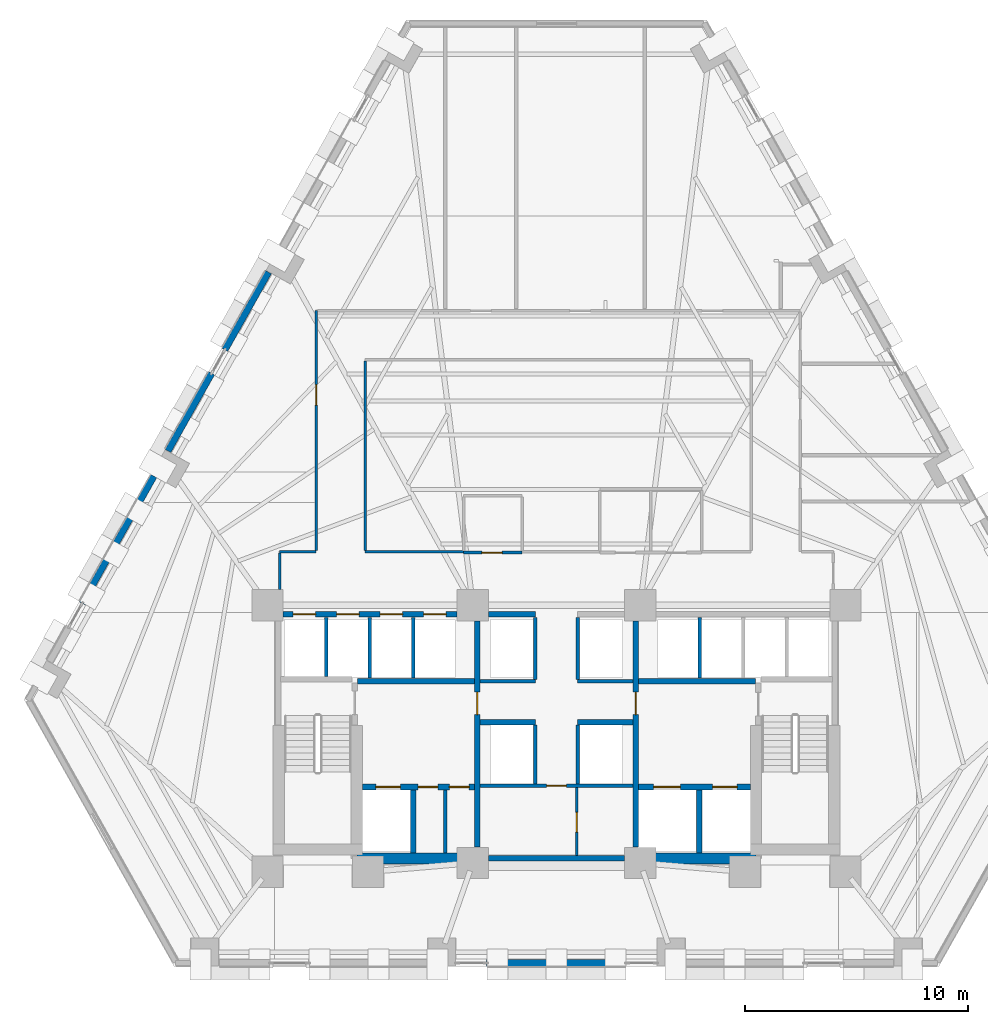
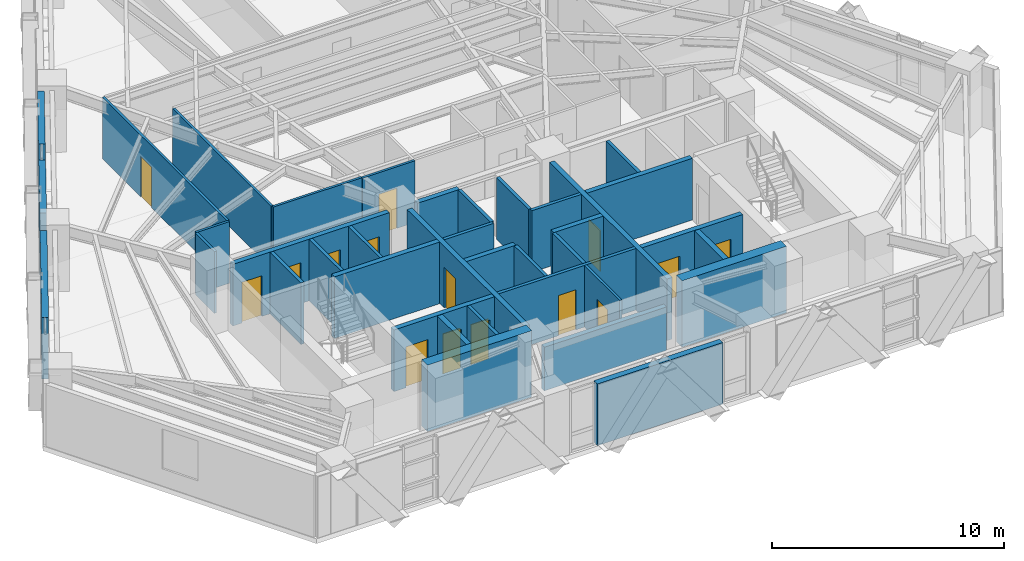
# One storey, part 7 of 13: 38 walls, 15 doors, 15 openings.
"""IFC4 building model written with IfcOpenShell, lengths in metres."""

from ifc_helpers import new_model, si_unit, direction, frame, frame_2d, origin, place, context, subcontext, project, spatial, rectangle, extrude, material, layer, layer_set, type_object, element, fill, save


model = new_model("IFC4")

# Units and contexts
model_context = context("Model", 3, precision=1e-05, world=origin(), true_north=direction((0.0, 1.0)))
body_context = subcontext(model_context, "Body", "Model", "MODEL_VIEW")
ifc_project = project(units=[si_unit("LENGTHUNIT", "METRE"), si_unit("AREAUNIT", "SQUARE_METRE"), si_unit("VOLUMEUNIT", "CUBIC_METRE"), si_unit("PLANEANGLEUNIT", "RADIAN"), si_unit("MASSUNIT", "GRAM", prefix="KILO")], contexts=[model_context])

# Site, building, storey
site_placement = place(None, origin())
site = spatial("IfcSite", under=ifc_project, at=site_placement, CompositionType="ELEMENT")
building_placement = place(site_placement, origin())
building = spatial("IfcBuilding", under=site, at=building_placement, Name="Quenlor Broadcast Tower", CompositionType="ELEMENT")
storey_placement = place(building_placement, frame((0.0, 0.0, 34.60009765625)))
storey = spatial("IfcBuildingStorey", under=building, at=storey_placement, Name="L08", CompositionType="ELEMENT", Elevation=34.60009765625)

# Walls
ifc_material_1 = material(Name="Concrete C65/80", Category="concrete")
ifc_layer_1 = layer(ifc_material_1, 0.5)
ifc_layer_set_1 = layer_set([ifc_layer_1], Name="Core Concrete C65/80 Shear Wall 500")
wall_type_1 = type_object("IfcWallType", Name="Core Concrete C65/80 Shear Wall 500", PredefinedType="SHEAR", material=ifc_layer_set_1)
for number, where, z_axis, x_axis, name in (
    (1, (-8.949951171875, -16.14990234375, 0.0), (0.0, 0.0, 1.0), (1.0, 0.0, 0.0), "L08 Core Shear Wall WS-W2"),
    (2, (3.75, -16.14990234375, 0.0), (0.0, 0.0, 1.0), (1.0, 0.0, 0.0), "L08 Core Shear Wall WS-E1"),
):
    element("IfcWall", number, at=place(storey_placement, frame(where, z_axis=z_axis, x_axis=x_axis)), inside=storey, type_object=wall_type_1, Name=name, PredefinedType="SHEAR", context=body_context, shape_type="SweptSolid", body=[
        extrude(rectangle(XDim=5.199951171875, YDim=0.5, at=frame_2d((2.60009765625, 0.0))), origin(), (0.0, 0.0, 1.0), 3.5),
    ])

# Wall, openings, doors
ifc_material_2 = material(Name="Concrete C40/50", Category="concrete")
ifc_layer_2 = layer(ifc_material_2, 0.25)
ifc_layer_set_2 = layer_set([ifc_layer_2], Name="Fire Rated Concrete C40/50 Core Wall 250")
wall_type_2 = type_object("IfcWallType", Name="Fire Rated Concrete C40/50 Core Wall 250", PredefinedType="PARTITIONING", material=ifc_layer_set_2)
wall_1_placement = place(storey_placement, frame((-8.697998046875, -12.949951171875, 0.0), z_axis=(0.0, 0.0, 1.0), x_axis=(1.0, 0.0, 0.0)))
wall_1 = element("IfcWall", 3, at=wall_1_placement, inside=storey, type_object=wall_type_2, Name="L08 Interior Wall CW-FFW-S", PredefinedType="PARTITIONING", context=body_context, shape_type="SweptSolid", body=[
    extrude(rectangle(XDim=5.01806640625, YDim=0.25, at=frame_2d((2.509033203125, 0.0))), origin(), (0.0, 0.0, 1.0), 3.25),
])
opening_1_placement = place(wall_1_placement, frame((0.597900390625, 0.0, 0.0)))
opening_1 = element("IfcOpeningElement", 4, at=opening_1_placement, cuts=wall_1, Name="Opening LD-FFL-1", PredefinedType="OPENING", context=body_context, shape_type="SweptSolid", body=[
    extrude(rectangle(XDim=1.10009765625, YDim=2.14990234375, at=frame_2d((0.550048828125, 1.074951171875))), frame((0.0, 0.135009765625, 0.0), z_axis=(0.0, -1.0, 0.0), x_axis=(1.0, 0.0, 0.0)), (0.0, 0.0, 1.0), 0.27001953125),
])
opening_2_placement = place(wall_1_placement, frame((2.498046875, 0.0, 0.0)))
opening_2 = element("IfcOpeningElement", 5, at=opening_2_placement, cuts=wall_1, Name="Opening TD-1", PredefinedType="OPENING", context=body_context, shape_type="SweptSolid", body=[
    extrude(rectangle(XDim=0.8798828125, YDim=2.10009765625, at=frame_2d((0.43994140625, 1.050048828125))), frame((0.0, 0.135009765625, 0.0), z_axis=(0.0, -1.0, 0.0), x_axis=(1.0, 0.0, 0.0)), (0.0, 0.0, 1.0), 0.27001953125),
])
opening_3_placement = place(wall_1_placement, frame((3.89794921875, 0.0, 0.0)))
opening_3 = element("IfcOpeningElement", 6, at=opening_3_placement, cuts=wall_1, Name="Opening TD-1", PredefinedType="OPENING", context=body_context, shape_type="SweptSolid", body=[
    extrude(rectangle(XDim=0.8798828125, YDim=2.10009765625, at=frame_2d((0.43994140625, 1.050048828125))), frame((0.0, 0.135009765625, 0.0), z_axis=(0.0, -1.0, 0.0), x_axis=(1.0, 0.0, 0.0)), (0.0, 0.0, 1.0), 0.27001953125),
])
ifc_material_3 = material(Name="Brushed Stainless Steel", Category="steel")
door_type_1 = type_object("IfcDoorType", Name="Emergency Lift Sliding Landing Door 1100x2150", OperationType="NOTDEFINED", PredefinedType="DOOR", material=ifc_material_3)
door_1_placement = place(opening_1_placement, origin())
door_1 = element("IfcDoor", 7, at=door_1_placement, inside=storey, type_object=door_type_1, Name="L08 Door LD-FFL-1", OperationType="SLIDING_TO_LEFT", OverallHeight=2.14990234375, OverallWidth=1.10009765625, PredefinedType="DOOR", context=body_context, shape_type="SweptSolid", body=[
    extrude(rectangle(XDim=1.10009765625, YDim=2.14990234375, at=frame_2d((0.550048828125, 1.074951171875))), frame((0.0, 0.02490234375, 0.0), z_axis=(0.0, -1.0, 0.0), x_axis=(1.0, 0.0, 0.0)), (0.0, 0.0, 1.0), 0.050048828125),
])
fill(opening_1, door_1)
ifc_material_4 = material(Name="Fire Rated Steel Access Panel", Category="steel")
door_type_2 = type_object("IfcDoorType", Name="Riser Shaft Rated Access Trapdoor 880x2100", OperationType="NOTDEFINED", PredefinedType="TRAPDOOR", material=ifc_material_4)
door_2_placement = place(opening_2_placement, origin())
door_2 = element("IfcDoor", 8, at=door_2_placement, inside=storey, type_object=door_type_2, Name="L08 Door DR-ELR", OperationType="SINGLE_SWING_LEFT", OverallHeight=2.10009765625, OverallWidth=0.8798828125, PredefinedType="TRAPDOOR", context=body_context, shape_type="SweptSolid", body=[
    extrude(rectangle(XDim=0.8798828125, YDim=2.10009765625, at=frame_2d((0.43994140625, 1.050048828125))), frame((0.0, 0.02490234375, 0.0), z_axis=(0.0, -1.0, 0.0), x_axis=(1.0, 0.0, 0.0)), (0.0, 0.0, 1.0), 0.050048828125),
])
fill(opening_2, door_2)
door_3_placement = place(opening_3_placement, origin())
door_3 = element("IfcDoor", 9, at=door_3_placement, inside=storey, type_object=door_type_2, Name="L08 Door DR-CMR", OperationType="SINGLE_SWING_RIGHT", OverallHeight=2.10009765625, OverallWidth=0.8798828125, PredefinedType="TRAPDOOR", context=body_context, shape_type="SweptSolid", body=[
    extrude(rectangle(XDim=0.8798828125, YDim=2.10009765625, at=frame_2d((0.43994140625, 1.050048828125))), frame((0.0, 0.02490234375, 0.0), z_axis=(0.0, -1.0, 0.0), x_axis=(1.0, 0.0, 0.0)), (0.0, 0.0, 1.0), 0.050048828125),
])
fill(opening_3, door_3)

wall_2_placement = place(storey_placement, frame((3.679931640625, -12.949951171875, 0.0), z_axis=(0.0, 0.0, 1.0), x_axis=(1.0, 0.0, 0.0)))
wall_2 = element("IfcWall", 10, at=wall_2_placement, inside=storey, type_object=wall_type_2, Name="L08 Interior Wall CW-FFE-S", PredefinedType="PARTITIONING", context=body_context, shape_type="SweptSolid", body=[
    extrude(rectangle(XDim=5.01806640625, YDim=0.25, at=frame_2d((2.509033203125, 0.0))), origin(), (0.0, 0.0, 1.0), 3.25),
])
opening_4_placement = place(wall_2_placement, frame((3.320068359375, 0.0, 0.0)))
opening_4 = element("IfcOpeningElement", 11, at=opening_4_placement, cuts=wall_2, Name="Opening LD-FFL-2", PredefinedType="OPENING", context=body_context, shape_type="SweptSolid", body=[
    extrude(rectangle(XDim=1.10009765625, YDim=2.14990234375, at=frame_2d((0.550048828125, 1.074951171875))), frame((0.0, 0.135009765625, 0.0), z_axis=(0.0, -1.0, 0.0), x_axis=(1.0, 0.0, 0.0)), (0.0, 0.0, 1.0), 0.27001953125),
])
opening_5_placement = place(wall_2_placement, frame((0.669921875, 0.0, 0.0)))
opening_5 = element("IfcOpeningElement", 12, at=opening_5_placement, cuts=wall_2, Name="Opening LD-SVL-1", PredefinedType="OPENING", context=body_context, shape_type="SweptSolid", body=[
    extrude(rectangle(XDim=1.199951171875, YDim=2.14990234375, at=frame_2d((0.60009765625, 1.074951171875))), frame((0.0, 0.135009765625, 0.0), z_axis=(0.0, -1.0, 0.0), x_axis=(1.0, 0.0, 0.0)), (0.0, 0.0, 1.0), 0.27001953125),
])
door_4_placement = place(opening_4_placement, origin())
door_4 = element("IfcDoor", 13, at=door_4_placement, inside=storey, type_object=door_type_1, Name="L08 Door LD-FFL-2", OperationType="SLIDING_TO_RIGHT", OverallHeight=2.14990234375, OverallWidth=1.10009765625, PredefinedType="DOOR", context=body_context, shape_type="SweptSolid", body=[
    extrude(rectangle(XDim=1.10009765625, YDim=2.14990234375, at=frame_2d((0.550048828125, 1.074951171875))), frame((0.0, 0.02490234375, 0.0), z_axis=(0.0, -1.0, 0.0), x_axis=(1.0, 0.0, 0.0)), (0.0, 0.0, 1.0), 0.050048828125),
])
fill(opening_4, door_4)
ifc_material_5 = material(Name="Brushed Stainless Steel", Category="steel")
door_type_3 = type_object("IfcDoorType", Name="Goods Lift Sliding Landing Door 1200x2150", OperationType="NOTDEFINED", PredefinedType="DOOR", material=ifc_material_5)
door_5_placement = place(opening_5_placement, origin())
door_5 = element("IfcDoor", 14, at=door_5_placement, inside=storey, type_object=door_type_3, Name="L08 Door LD-SVL-1", OperationType="SLIDING_TO_LEFT", OverallHeight=2.14990234375, OverallWidth=1.199951171875, PredefinedType="DOOR", context=body_context, shape_type="SweptSolid", body=[
    extrude(rectangle(XDim=1.199951171875, YDim=2.14990234375, at=frame_2d((0.60009765625, 1.074951171875))), frame((0.0, 0.02490234375, 0.0), z_axis=(0.0, -1.0, 0.0), x_axis=(1.0, 0.0, 0.0)), (0.0, 0.0, 1.0), 0.050048828125),
])
fill(opening_5, door_5)

# Walls
for number, where, z_axis, x_axis, name in (
    (15, (-6.419921875, -15.89794921875, 0.0), (0.0, 0.0, 1.0), (0.0, 1.0, 0.0), "L08 Interior Wall CW-FF1-E"),
    (16, (6.39990234375, -15.89794921875, 0.0), (0.0, 0.0, 1.0), (0.0, 1.0, 0.0), "L08 Interior Wall CW-SV1-E"),
):
    element("IfcWall", number, at=place(storey_placement, frame(where, z_axis=z_axis, x_axis=x_axis)), inside=storey, type_object=wall_type_2, Name=name, PredefinedType="PARTITIONING", context=body_context, shape_type="SweptSolid", body=[
        extrude(rectangle(XDim=2.807861328125, YDim=0.25, at=frame_2d((1.40380859375, 0.0))), origin(), (0.0, 0.0, 1.0), 3.25),
    ])
for number, where, z_axis, x_axis, name in (
    (17, (-8.919921875, -8.199951171875, 0.0), (0.0, 0.0, 1.0), (1.0, 0.0, 0.0), "L08 Interior Wall CW-FFW-N"),
    (18, (3.679931640625, -8.199951171875, 0.0), (0.0, 0.0, 1.0), (1.0, 0.0, 0.0), "L08 Interior Wall CW-FFE-N"),
):
    element("IfcWall", number, at=place(storey_placement, frame(where, z_axis=z_axis, x_axis=x_axis)), inside=storey, type_object=wall_type_2, Name=name, PredefinedType="PARTITIONING", context=body_context, shape_type="SweptSolid", body=[
        extrude(rectangle(XDim=5.239990234375, YDim=0.25, at=frame_2d((2.6201171875, 0.0))), origin(), (0.0, 0.0, 1.0), 3.25),
    ])

# Wall, opening, door
wall_3_placement = place(storey_placement, frame((-3.550048828125, -15.64794921875, 0.0), z_axis=(0.0, 0.0, 1.0), x_axis=(0.0, 1.0, 0.0)))
wall_3 = element("IfcWall", 19, at=wall_3_placement, inside=storey, type_object=wall_type_2, Name="L08 Interior Wall CW-FFW-E", PredefinedType="PARTITIONING", context=body_context, shape_type="SweptSolid", body=[
    extrude(rectangle(XDim=10.14599609375, YDim=0.25, at=frame_2d((5.072998046875, 0.0))), origin(), (0.0, 0.0, 1.0), 3.25),
])
opening_6_placement = place(wall_3_placement, frame((5.947998046875, 0.0, 0.0)))
opening_6 = element("IfcOpeningElement", 20, at=opening_6_placement, cuts=wall_3, Name="Opening FD-2", PredefinedType="OPENING", context=body_context, shape_type="SweptSolid", body=[
    extrude(rectangle(XDim=1.0, YDim=2.14990234375, at=frame_2d((0.5, 1.074951171875))), frame((0.0, 0.135009765625, 0.0), z_axis=(0.0, -1.0, 0.0), x_axis=(1.0, 0.0, 0.0)), (0.0, 0.0, 1.0), 0.27001953125),
])
ifc_material_6 = material(Name="Fire Rated Glazed Steel Door", Category="steel")
door_type_4 = type_object("IfcDoorType", Name="Firefighting Lobby Smoke Door 1000x2150", OperationType="NOTDEFINED", PredefinedType="DOOR", material=ifc_material_6)
door_6_placement = place(opening_6_placement, origin())
door_6 = element("IfcDoor", 21, at=door_6_placement, inside=storey, type_object=door_type_4, Name="L08 Door DR-FFLW", OperationType="SINGLE_SWING_RIGHT", OverallHeight=2.14990234375, OverallWidth=1.0, PredefinedType="DOOR", context=body_context, shape_type="SweptSolid", body=[
    extrude(rectangle(XDim=1.0, YDim=2.14990234375, at=frame_2d((0.5, 1.074951171875))), frame((0.0, 0.02490234375, 0.0), z_axis=(0.0, -1.0, 0.0), x_axis=(1.0, 0.0, 0.0)), (0.0, 0.0, 1.0), 0.050048828125),
])
fill(opening_6, door_6)

wall_4_placement = place(storey_placement, frame((3.550048828125, -15.64794921875, 0.0), z_axis=(0.0, 0.0, 1.0), x_axis=(0.0, 1.0, 0.0)))
wall_4 = element("IfcWall", 22, at=wall_4_placement, inside=storey, type_object=wall_type_2, Name="L08 Interior Wall CW-FFE-W", PredefinedType="PARTITIONING", context=body_context, shape_type="SweptSolid", body=[
    extrude(rectangle(XDim=10.14599609375, YDim=0.25, at=frame_2d((5.072998046875, 0.0))), origin(), (0.0, 0.0, 1.0), 3.25),
])
opening_7_placement = place(wall_4_placement, frame((5.947998046875, 0.0, 0.0)))
opening_7 = element("IfcOpeningElement", 23, at=opening_7_placement, cuts=wall_4, Name="Opening FD-2", PredefinedType="OPENING", context=body_context, shape_type="SweptSolid", body=[
    extrude(rectangle(XDim=1.0, YDim=2.14990234375, at=frame_2d((0.5, 1.074951171875))), frame((0.0, 0.135009765625, 0.0), z_axis=(0.0, -1.0, 0.0), x_axis=(1.0, 0.0, 0.0)), (0.0, 0.0, 1.0), 0.27001953125),
])
door_7_placement = place(opening_7_placement, origin())
door_7 = element("IfcDoor", 24, at=door_7_placement, inside=storey, type_object=door_type_4, Name="L08 Door DR-FFLE", OperationType="SINGLE_SWING_LEFT", OverallHeight=2.14990234375, OverallWidth=1.0, PredefinedType="DOOR", context=body_context, shape_type="SweptSolid", body=[
    extrude(rectangle(XDim=1.0, YDim=2.14990234375, at=frame_2d((0.5, 1.074951171875))), frame((0.0, 0.02490234375, 0.0), z_axis=(0.0, -1.0, 0.0), x_axis=(1.0, 0.0, 0.0)), (0.0, 0.0, 1.0), 0.050048828125),
])
fill(opening_7, door_7)

# Wall, openings, doors
wall_5_placement = place(storey_placement, frame((-12.248046875, -5.199951171875, 0.0), z_axis=(0.0, 0.0, 1.0), x_axis=(1.0, 0.0, 0.0)))
wall_5 = element("IfcWall", 25, at=wall_5_placement, inside=storey, type_object=wall_type_2, Name="L08 Interior Wall CW-N-W", PredefinedType="PARTITIONING", context=body_context, shape_type="SweptSolid", body=[
    extrude(rectangle(XDim=7.796142578125, YDim=0.25, at=frame_2d((3.89794921875, 0.0))), origin(), (0.0, 0.0, 1.0), 3.25),
])
opening_8_placement = place(wall_5_placement, frame((0.447998046875, 0.0, 0.0)))
opening_8 = element("IfcOpeningElement", 26, at=opening_8_placement, cuts=wall_5, Name="Opening LD-PL-L1", PredefinedType="OPENING", context=body_context, shape_type="SweptSolid", body=[
    extrude(rectangle(XDim=1.0, YDim=2.14990234375, at=frame_2d((0.5, 1.074951171875))), frame((0.0, 0.135009765625, 0.0), z_axis=(0.0, -1.0, 0.0), x_axis=(1.0, 0.0, 0.0)), (0.0, 0.0, 1.0), 0.27001953125),
])
opening_9_placement = place(wall_5_placement, frame((2.39794921875, 0.0, 0.0)))
opening_9 = element("IfcOpeningElement", 27, at=opening_9_placement, cuts=wall_5, Name="Opening LD-PL-L2", PredefinedType="OPENING", context=body_context, shape_type="SweptSolid", body=[
    extrude(rectangle(XDim=1.0, YDim=2.14990234375, at=frame_2d((0.5, 1.074951171875))), frame((0.0, 0.135009765625, 0.0), z_axis=(0.0, -1.0, 0.0), x_axis=(1.0, 0.0, 0.0)), (0.0, 0.0, 1.0), 0.27001953125),
])
opening_10_placement = place(wall_5_placement, frame((4.347900390625, 0.0, 0.0)))
opening_10 = element("IfcOpeningElement", 28, at=opening_10_placement, cuts=wall_5, Name="Opening LD-PL-L3", PredefinedType="OPENING", context=body_context, shape_type="SweptSolid", body=[
    extrude(rectangle(XDim=1.0, YDim=2.14990234375, at=frame_2d((0.5, 1.074951171875))), frame((0.0, 0.135009765625, 0.0), z_axis=(0.0, -1.0, 0.0), x_axis=(1.0, 0.0, 0.0)), (0.0, 0.0, 1.0), 0.27001953125),
])
opening_11_placement = place(wall_5_placement, frame((6.298095703125, 0.0, 0.0)))
opening_11 = element("IfcOpeningElement", 29, at=opening_11_placement, cuts=wall_5, Name="Opening LD-PL-L4", PredefinedType="OPENING", context=body_context, shape_type="SweptSolid", body=[
    extrude(rectangle(XDim=1.0, YDim=2.14990234375, at=frame_2d((0.5, 1.074951171875))), frame((0.0, 0.135009765625, 0.0), z_axis=(0.0, -1.0, 0.0), x_axis=(1.0, 0.0, 0.0)), (0.0, 0.0, 1.0), 0.27001953125),
])
ifc_material_7 = material(Name="Brushed Stainless Steel", Category="steel")
door_type_5 = type_object("IfcDoorType", Name="Passenger Lift Sliding Landing Door 1000x2150", OperationType="NOTDEFINED", PredefinedType="DOOR", material=ifc_material_7)
door_8_placement = place(opening_8_placement, origin())
door_8 = element("IfcDoor", 30, at=door_8_placement, inside=storey, type_object=door_type_5, Name="L08 Door LD-PL-L1", OperationType="SLIDING_TO_LEFT", OverallHeight=2.14990234375, OverallWidth=1.0, PredefinedType="DOOR", context=body_context, shape_type="SweptSolid", body=[
    extrude(rectangle(XDim=1.0, YDim=2.14990234375, at=frame_2d((0.5, 1.074951171875))), frame((0.0, 0.02490234375, 0.0), z_axis=(0.0, -1.0, 0.0), x_axis=(1.0, 0.0, 0.0)), (0.0, 0.0, 1.0), 0.050048828125),
])
fill(opening_8, door_8)
door_9_placement = place(opening_9_placement, origin())
door_9 = element("IfcDoor", 31, at=door_9_placement, inside=storey, type_object=door_type_5, Name="L08 Door LD-PL-L2", OperationType="SLIDING_TO_LEFT", OverallHeight=2.14990234375, OverallWidth=1.0, PredefinedType="DOOR", context=body_context, shape_type="SweptSolid", body=[
    extrude(rectangle(XDim=1.0, YDim=2.14990234375, at=frame_2d((0.5, 1.074951171875))), frame((0.0, 0.02490234375, 0.0), z_axis=(0.0, -1.0, 0.0), x_axis=(1.0, 0.0, 0.0)), (0.0, 0.0, 1.0), 0.050048828125),
])
fill(opening_9, door_9)
door_10_placement = place(opening_10_placement, origin())
door_10 = element("IfcDoor", 32, at=door_10_placement, inside=storey, type_object=door_type_5, Name="L08 Door LD-PL-L3", OperationType="SLIDING_TO_LEFT", OverallHeight=2.14990234375, OverallWidth=1.0, PredefinedType="DOOR", context=body_context, shape_type="SweptSolid", body=[
    extrude(rectangle(XDim=1.0, YDim=2.14990234375, at=frame_2d((0.5, 1.074951171875))), frame((0.0, 0.02490234375, 0.0), z_axis=(0.0, -1.0, 0.0), x_axis=(1.0, 0.0, 0.0)), (0.0, 0.0, 1.0), 0.050048828125),
])
fill(opening_10, door_10)
door_11_placement = place(opening_11_placement, origin())
door_11 = element("IfcDoor", 33, at=door_11_placement, inside=storey, type_object=door_type_5, Name="L08 Door LD-PL-L4", OperationType="SLIDING_TO_LEFT", OverallHeight=2.14990234375, OverallWidth=1.0, PredefinedType="DOOR", context=body_context, shape_type="SweptSolid", body=[
    extrude(rectangle(XDim=1.0, YDim=2.14990234375, at=frame_2d((0.5, 1.074951171875))), frame((0.0, 0.02490234375, 0.0), z_axis=(0.0, -1.0, 0.0), x_axis=(1.0, 0.0, 0.0)), (0.0, 0.0, 1.0), 0.050048828125),
])
fill(opening_11, door_11)

# Walls
wall_6_placement = place(storey_placement, frame((-3.048095703125, -5.199951171875, 0.0), z_axis=(0.0, 0.0, 1.0), x_axis=(1.0, 0.0, 0.0)))
element("IfcWall", 34, at=wall_6_placement, inside=storey, type_object=wall_type_2, Name="L08 Interior Wall CW-N-M1", PredefinedType="PARTITIONING", context=body_context, shape_type="SweptSolid", body=[
    extrude(rectangle(XDim=2.09814453125, YDim=0.25, at=frame_2d((1.049072265625, 0.0))), origin(), (0.0, 0.0, 1.0), 3.25),
])
wall_7_placement = place(storey_placement, frame((-3.048095703125, -16.14990234375, 0.0), z_axis=(0.0, 0.0, 1.0), x_axis=(1.0, 0.0, 0.0)))
element("IfcWall", 35, at=wall_7_placement, inside=storey, type_object=wall_type_2, Name="L08 Interior Wall CW-MS-S", PredefinedType="PARTITIONING", context=body_context, shape_type="SweptSolid", body=[
    extrude(rectangle(XDim=6.09619140625, YDim=0.25, at=frame_2d((3.048095703125, 0.0))), origin(), (0.0, 0.0, 1.0), 2.2998046875),
])
for number, where, z_axis, x_axis, name in (
    (36, (-3.419921875, -10.050048828125, 0.0), (0.0, 0.0, 1.0), (1.0, 0.0, 0.0), "L08 Interior Wall CW-MS-N1"),
    (37, (0.949951171875, -10.050048828125, 0.0), (0.0, 0.0, 1.0), (1.0, 0.0, 0.0), "L08 Interior Wall CW-MS-N2"),
):
    element("IfcWall", number, at=place(storey_placement, frame(where, z_axis=z_axis, x_axis=x_axis)), inside=storey, type_object=wall_type_2, Name=name, PredefinedType="PARTITIONING", context=body_context, shape_type="SweptSolid", body=[
        extrude(rectangle(XDim=2.469970703125, YDim=0.25, at=frame_2d((1.23486328125, 0.0))), origin(), (0.0, 0.0, 1.0), 3.25),
    ])
ifc_material_8 = material(Name="Gypsum Fireboard Partition", Category="other")
ifc_layer_3 = layer(ifc_material_8, 0.159912109375)
ifc_layer_set_3 = layer_set([ifc_layer_3], Name="Fire Rated Shaft and Corridor Partition 160")
wall_type_3 = type_object("IfcWallType", Name="Fire Rated Shaft and Corridor Partition 160", PredefinedType="PARTITIONING", material=ifc_layer_set_3)
wall_8_placement = place(storey_placement, frame((-4.97998046875, -15.89794921875, 0.0), z_axis=(0.0, 0.0, 1.0), x_axis=(0.0, 1.0, 0.0)))
element("IfcWall", 38, at=wall_8_placement, inside=storey, type_object=wall_type_3, Name="L08 Interior Wall CW-ELR-E", PredefinedType="PARTITIONING", context=body_context, shape_type="SweptSolid", body=[
    extrude(rectangle(XDim=2.807861328125, YDim=0.159912109375, at=frame_2d((1.40380859375, 0.0))), origin(), (0.0, 0.0, 1.0), 3.25),
])
wall_9_placement = place(storey_placement, frame((-10.324951171875, -7.992919921875, 0.0), z_axis=(0.0, 0.0, 1.0), x_axis=(0.0, 1.0, 0.0)))
element("IfcWall", 39, at=wall_9_placement, inside=storey, type_object=wall_type_3, Name="L08 Interior Wall CW-PLL-D1", PredefinedType="PARTITIONING", context=body_context, shape_type="SweptSolid", body=[
    extrude(rectangle(XDim=2.65283203125, YDim=0.159912109375, at=frame_2d((1.326416015625, 0.0))), origin(), (0.0, 0.0, 1.0), 3.25),
])
for number, where, z_axis, x_axis, name in (
    (40, (-8.375, -8.072998046875, 0.0), (0.0, 0.0, 1.0), (0.0, 1.0, 0.0), "L08 Interior Wall CW-PLL-D2"),
    (41, (-6.425048828125, -8.072998046875, 0.0), (0.0, 0.0, 1.0), (0.0, 1.0, 0.0), "L08 Interior Wall CW-PLL-D3"),
    (42, (6.425048828125, -8.072998046875, 0.0), (0.0, 0.0, 1.0), (0.0, 1.0, 0.0), "L08 Interior Wall CW-PLH-D1"),
):
    element("IfcWall", number, at=place(storey_placement, frame(where, z_axis=z_axis, x_axis=x_axis)), inside=storey, type_object=wall_type_3, Name=name, PredefinedType="PARTITIONING", context=body_context, shape_type="SweptSolid", body=[
        extrude(rectangle(XDim=2.73291015625, YDim=0.159912109375, at=frame_2d((1.366455078125, 0.0))), origin(), (0.0, 0.0, 1.0), 3.25),
    ])
for number, where, z_axis, x_axis, name in (
    (43, (-0.949951171875, -8.1201171875, 0.0), (0.0, 0.0, 1.0), (0.0, 1.0, 0.0), "L08 Interior Wall CW-CCRP-W"),
    (44, (0.949951171875, -8.1201171875, 0.0), (0.0, 0.0, 1.0), (0.0, 1.0, 0.0), "L08 Interior Wall CW-CCRP-E"),
):
    element("IfcWall", number, at=place(storey_placement, frame(where, z_axis=z_axis, x_axis=x_axis)), inside=storey, type_object=wall_type_3, Name=name, PredefinedType="PARTITIONING", context=body_context, shape_type="SweptSolid", body=[
        extrude(rectangle(XDim=2.780029296875, YDim=0.159912109375, at=frame_2d((1.39013671875, 0.0))), origin(), (0.0, 0.0, 1.0), 3.25),
    ])
for number, where, z_axis, x_axis, name in (
    (45, (-3.419921875, -8.199951171875, 0.0), (0.0, 0.0, 1.0), (1.0, 0.0, 0.0), "L08 Interior Wall CW-M-BACK1"),
    (46, (0.949951171875, -8.199951171875, 0.0), (0.0, 0.0, 1.0), (1.0, 0.0, 0.0), "L08 Interior Wall CW-M-BACK2"),
):
    element("IfcWall", number, at=place(storey_placement, frame(where, z_axis=z_axis, x_axis=x_axis)), inside=storey, type_object=wall_type_3, Name=name, PredefinedType="PARTITIONING", context=body_context, shape_type="SweptSolid", body=[
        extrude(rectangle(XDim=2.469970703125, YDim=0.159912109375, at=frame_2d((1.23486328125, 0.0))), origin(), (0.0, 0.0, 1.0), 3.25),
    ])

# Wall, opening, door
wall_10_placement = place(storey_placement, frame((-3.419921875, -12.89990234375, 0.0), z_axis=(0.0, 0.0, 1.0), x_axis=(1.0, 0.0, 0.0)))
wall_10 = element("IfcWall", 47, at=wall_10_placement, inside=storey, type_object=wall_type_3, Name="L08 Interior Wall CW-MS-B", PredefinedType="PARTITIONING", context=body_context, shape_type="SweptSolid", body=[
    extrude(rectangle(XDim=6.83984375, YDim=0.159912109375, at=frame_2d((3.419921875, 0.0))), origin(), (0.0, 0.0, 1.0), 3.25),
])
opening_12_placement = place(wall_10_placement, frame((2.97998046875, 0.0, 0.0)))
opening_12 = element("IfcOpeningElement", 48, at=opening_12_placement, cuts=wall_10, Name="Opening ID-4", PredefinedType="OPENING", context=body_context, shape_type="SweptSolid", body=[
    extrude(rectangle(XDim=0.8798828125, YDim=2.1201171875, at=frame_2d((0.43994140625, 1.06005859375))), frame((0.0, 0.08984375, 0.0), z_axis=(0.0, -1.0, 0.0), x_axis=(1.0, 0.0, 0.0)), (0.0, 0.0, 1.0), 0.179931640625),
])
ifc_material_9 = material(Name="Solid Core Timber Oak", Category="wood")
door_type_6 = type_object("IfcDoorType", Name="Service Closet Timber Door 880x2120", OperationType="NOTDEFINED", PredefinedType="DOOR", material=ifc_material_9)
door_12_placement = place(opening_12_placement, origin())
door_12 = element("IfcDoor", 49, at=door_12_placement, inside=storey, type_object=door_type_6, Name="L08 Door DR-CSV0", OperationType="SINGLE_SWING_LEFT", OverallHeight=2.1201171875, OverallWidth=0.8798828125, PredefinedType="DOOR", context=body_context, shape_type="SweptSolid", body=[
    extrude(rectangle(XDim=0.8798828125, YDim=2.1201171875, at=frame_2d((0.43994140625, 1.06005859375))), frame((0.0, 0.02490234375, 0.0), z_axis=(0.0, -1.0, 0.0), x_axis=(1.0, 0.0, 0.0)), (0.0, 0.0, 1.0), 0.050048828125),
])
fill(opening_12, door_12)

# Walls
for number, where, z_axis, x_axis, name in (
    (50, (-0.949951171875, -12.818115234375, 0.0), (0.0, 0.0, 1.0), (0.0, 1.0, 0.0), "L08 Interior Wall CW-MS-W"),
    (51, (0.949951171875, -12.818115234375, 0.0), (0.0, 0.0, 1.0), (0.0, 1.0, 0.0), "L08 Interior Wall CW-MS-E"),
):
    element("IfcWall", number, at=place(storey_placement, frame(where, z_axis=z_axis, x_axis=x_axis)), inside=storey, type_object=wall_type_3, Name=name, PredefinedType="PARTITIONING", context=body_context, shape_type="SweptSolid", body=[
        extrude(rectangle(XDim=2.63818359375, YDim=0.159912109375, at=frame_2d((1.319091796875, 0.0))), origin(), (0.0, 0.0, 1.0), 3.25),
    ])

# Wall, opening, door
ifc_material_10 = material(Name="Gypsum Plasterboard Partition", Category="other")
ifc_layer_4 = layer(ifc_material_10, 0.1201171875)
ifc_layer_set_4 = layer_set([ifc_layer_4], Name="Standard Office Partition 120")
wall_type_4 = type_object("IfcWallType", Name="Standard Office Partition 120", PredefinedType="PARTITIONING", material=ifc_layer_set_4)
wall_11_placement = place(storey_placement, frame((0.909912109375, -16.02001953125, 0.0), z_axis=(0.0, 0.0, 1.0), x_axis=(0.0, 1.0, 0.0)))
wall_11 = element("IfcWall", 52, at=wall_11_placement, inside=storey, type_object=wall_type_4, Name="L08 Interior Wall CW-CSV-E2", PredefinedType="PARTITIONING", context=body_context, shape_type="SweptSolid", body=[
    extrude(rectangle(XDim=3.0380859375, YDim=0.1201171875, at=frame_2d((1.51904296875, 0.0))), origin(), (0.0, 0.0, 1.0), 3.25),
])
opening_13_placement = place(wall_11_placement, frame((1.050048828125, 0.0, 0.0)))
opening_13 = element("IfcOpeningElement", 53, at=opening_13_placement, cuts=wall_11, Name="Opening ID-4", PredefinedType="OPENING", context=body_context, shape_type="SweptSolid", body=[
    extrude(rectangle(XDim=0.8798828125, YDim=2.1201171875, at=frame_2d((0.43994140625, 1.06005859375))), frame((0.0, 0.070068359375, 0.0), z_axis=(0.0, -1.0, 0.0), x_axis=(1.0, 0.0, 0.0)), (0.0, 0.0, 1.0), 0.14013671875),
])
door_13_placement = place(opening_13_placement, origin())
door_13 = element("IfcDoor", 54, at=door_13_placement, inside=storey, type_object=door_type_6, Name="L08 Door DR-CSV2", OperationType="SINGLE_SWING_RIGHT", OverallHeight=2.1201171875, OverallWidth=0.8798828125, PredefinedType="DOOR", context=body_context, shape_type="SweptSolid", body=[
    extrude(rectangle(XDim=0.8798828125, YDim=2.1201171875, at=frame_2d((0.43994140625, 1.06005859375))), frame((0.0, 0.02490234375, 0.0), z_axis=(0.0, -1.0, 0.0), x_axis=(1.0, 0.0, 0.0)), (0.0, 0.0, 1.0), 0.050048828125),
])
fill(opening_13, door_13)

wall_12_placement = place(storey_placement, frame((-4.159912109375, -2.43994140625, 0.0), z_axis=(0.0, 0.0, 1.0), x_axis=(1.0, 0.0, 0.0)))
wall_12 = element("IfcWall", 55, at=wall_12_placement, inside=storey, type_object=wall_type_4, Name="L08 Interior Wall PW-AWC-S", PredefinedType="PARTITIONING", context=body_context, shape_type="SweptSolid", body=[
    extrude(rectangle(XDim=2.619873046875, YDim=0.1201171875, at=frame_2d((1.31005859375, 0.0))), origin(), (0.0, 0.0, 1.0), 3.25),
])
opening_14_placement = place(wall_12_placement, frame((0.820068359375, 0.0, 0.0)))
opening_14 = element("IfcOpeningElement", 56, at=opening_14_placement, cuts=wall_12, Name="Opening ID-3", PredefinedType="OPENING", context=body_context, shape_type="SweptSolid", body=[
    extrude(rectangle(XDim=0.89990234375, YDim=2.1201171875, at=frame_2d((0.449951171875, 1.06005859375))), frame((0.0, 0.070068359375, 0.0), z_axis=(0.0, -1.0, 0.0), x_axis=(1.0, 0.0, 0.0)), (0.0, 0.0, 1.0), 0.14013671875),
])
ifc_material_11 = material(Name="Moisture Resistant Timber Oak", Category="wood")
door_type_7 = type_object("IfcDoorType", Name="Washroom Privacy Door 900x2120", OperationType="NOTDEFINED", PredefinedType="DOOR", material=ifc_material_11)
door_14_placement = place(opening_14_placement, origin())
door_14 = element("IfcDoor", 57, at=door_14_placement, inside=storey, type_object=door_type_7, Name="L08 Door DR-AWC", OperationType="SINGLE_SWING_LEFT", OverallHeight=2.1201171875, OverallWidth=0.89990234375, PredefinedType="DOOR", context=body_context, shape_type="SweptSolid", body=[
    extrude(rectangle(XDim=0.89990234375, YDim=2.1201171875, at=frame_2d((0.449951171875, 1.06005859375))), frame((0.0, 0.02490234375, 0.0), z_axis=(0.0, -1.0, 0.0), x_axis=(1.0, 0.0, 0.0)), (0.0, 0.0, 1.0), 0.050048828125),
])
fill(opening_14, door_14)

# Wall
wall_13_placement = place(storey_placement, frame((-12.409912109375, -2.39990234375, 0.0), z_axis=(0.0, 0.0, 1.0), x_axis=(1.0, 0.0, 0.0)))
element("IfcWall", 58, at=wall_13_placement, inside=storey, type_object=wall_type_4, Name="L08 Interior Wall PW-CR-01", PredefinedType="PARTITIONING", context=body_context, shape_type="SweptSolid", body=[
    extrude(rectangle(XDim=1.635009765625, YDim=0.1201171875, at=frame_2d((0.8173828125, 0.0))), origin(), (0.0, 0.0, 1.0), 3.25),
])

# Wall, opening, door
wall_14_placement = place(storey_placement, frame((-10.77490234375, -2.337890625, 0.0), z_axis=(0.0, 0.0, 1.0), x_axis=(0.0, 1.0, 0.0)))
wall_14 = element("IfcWall", 59, at=wall_14_placement, inside=storey, type_object=wall_type_4, Name="L08 Interior Wall PW-CR-02", PredefinedType="PARTITIONING", context=body_context, shape_type="SweptSolid", body=[
    extrude(rectangle(XDim=10.73779296875, YDim=0.1201171875, at=frame_2d((5.368896484375, 0.0))), origin(), (0.0, 0.0, 1.0), 3.25),
])
opening_15_placement = place(wall_14_placement, frame((6.509033203125, 0.0, 0.0)))
opening_15 = element("IfcOpeningElement", 60, at=opening_15_placement, cuts=wall_14, Name="Opening ID-1", PredefinedType="OPENING", context=body_context, shape_type="SweptSolid", body=[
    extrude(rectangle(XDim=0.919921875, YDim=2.1201171875, at=frame_2d((0.4599609375, 1.06005859375))), frame((0.0, 0.070068359375, 0.0), z_axis=(0.0, -1.0, 0.0), x_axis=(1.0, 0.0, 0.0)), (0.0, 0.0, 1.0), 0.14013671875),
])
ifc_material_12 = material(Name="Solid Core Timber Oak", Category="wood")
door_type_8 = type_object("IfcDoorType", Name="Single Leaf Timber Office Door 920x2120", OperationType="NOTDEFINED", PredefinedType="DOOR", material=ifc_material_12)
door_15_placement = place(opening_15_placement, origin())
door_15 = element("IfcDoor", 61, at=door_15_placement, inside=storey, type_object=door_type_8, Name="L08 Door DR-RM04", OperationType="SINGLE_SWING_RIGHT", OverallHeight=2.1201171875, OverallWidth=0.919921875, PredefinedType="DOOR", context=body_context, shape_type="SweptSolid", body=[
    extrude(rectangle(XDim=0.919921875, YDim=2.1201171875, at=frame_2d((0.4599609375, 1.06005859375))), frame((0.0, 0.02490234375, 0.0), z_axis=(0.0, -1.0, 0.0), x_axis=(1.0, 0.0, 0.0)), (0.0, 0.0, 1.0), 0.050048828125),
])
fill(opening_15, door_15)

# Walls
wall_15_placement = place(storey_placement, frame((-12.409912109375, -4.097900390625, 0.0), z_axis=(0.0, 0.0, 1.0), x_axis=(0.0, 1.0, 0.0)))
element("IfcWall", 62, at=wall_15_placement, inside=storey, type_object=wall_type_4, Name="L08 Interior Wall PW-CR-07", PredefinedType="PARTITIONING", context=body_context, shape_type="SweptSolid", body=[
    extrude(rectangle(XDim=1.635986328125, YDim=0.1201171875, at=frame_2d((0.81787109375, 0.0))), origin(), (0.0, 0.0, 1.0), 3.25),
])
wall_16_placement = place(storey_placement, frame((-8.574951171875, -2.39990234375, 0.0), z_axis=(0.0, 0.0, 1.0), x_axis=(1.0, 0.0, 0.0)))
element("IfcWall", 63, at=wall_16_placement, inside=storey, type_object=wall_type_4, Name="L08 Interior Wall PW-CR-08", PredefinedType="PARTITIONING", context=body_context, shape_type="SweptSolid", body=[
    extrude(rectangle(XDim=4.412841796875, YDim=0.1201171875, at=frame_2d((2.20654296875, 0.0))), origin(), (0.0, 0.0, 1.0), 3.25),
])
wall_17_placement = place(storey_placement, frame((-8.574951171875, 6.137939453125, 0.0), z_axis=(0.0, 0.0, 1.0), x_axis=(0.0, -1.0, 0.0)))
element("IfcWall", 64, at=wall_17_placement, inside=storey, type_object=wall_type_4, Name="L08 Interior Wall PW-CR-11", PredefinedType="PARTITIONING", context=body_context, shape_type="SweptSolid", body=[
    extrude(rectangle(XDim=8.475830078125, YDim=0.1201171875, at=frame_2d((4.23779296875, 0.0))), origin(), (0.0, 0.0, 1.0), 3.25),
])
ifc_material_13 = material(Name="Precast concrete C40/50", Category="concrete")
ifc_layer_5 = layer(ifc_material_13, 0.300048828125)
ifc_layer_set_5 = layer_set([ifc_layer_5], Name="Terracotta Precast Concrete C40/50 Spandrel Wall 300")
wall_type_5 = type_object("IfcWallType", Name="Terracotta Precast Concrete C40/50 Spandrel Wall 300", PredefinedType="STANDARD", material=ifc_layer_set_5)
wall_18_placement = place(storey_placement, frame((3.126220703125, -20.840087890625, 0.0), z_axis=(0.0, 0.0, 1.0), x_axis=(-1.0, 0.0, 0.0)))
element("IfcWall", 65, at=wall_18_placement, inside=storey, type_object=wall_type_5, Name="L08 Exterior Wall L08-S-SP1", PredefinedType="STANDARD", context=body_context, shape_type="SweptSolid", body=[
    extrude(rectangle(XDim=6.25244140625, YDim=0.300048828125, at=frame_2d((3.126220703125, 0.0))), origin(), (0.0, 0.0, 1.0), 3.25),
])
wall_19_placement = place(storey_placement, frame((-21.258056640625, -4.718505859375, 0.0), z_axis=(0.0, 0.0, 1.0), x_axis=(0.490254155105, 0.871579522133, 0.0)))
element("IfcWall", 66, at=wall_19_placement, inside=storey, type_object=wall_type_5, Name="L08 Exterior Wall L08-NWA-SP2", PredefinedType="STANDARD", context=body_context, shape_type="SweptSolid", body=[
    extrude(rectangle(XDim=6.544677734375, YDim=0.300048828125, at=frame_2d((3.2724609375, 0.0))), origin(), (0.0, 0.0, 1.0), 3.25),
])
for number, where, z_axis, x_axis, name in (
    (67, (-17.414794921875, 2.1142578125, 0.0), (0.0, 0.0, 1.0), (0.490275749717, 0.871567375043, 0.0), "L08 Exterior Wall L08-NW-SP1"),
    (68, (-14.864501953125, 6.647705078125, 0.0), (0.0, 0.0, 1.0), (0.490275749717, 0.871567375043, 0.0), "L08 Exterior Wall L08-NW-SP2"),
):
    element("IfcWall", number, at=place(storey_placement, frame(where, z_axis=z_axis, x_axis=x_axis)), inside=storey, type_object=wall_type_5, Name=name, PredefinedType="STANDARD", context=body_context, shape_type="SweptSolid", body=[
        extrude(rectangle(XDim=3.994140625, YDim=0.300048828125, at=frame_2d((1.9970703125, 0.0))), origin(), (0.0, 0.0, 1.0), 3.25),
    ])

save(model, "model.ifc")
